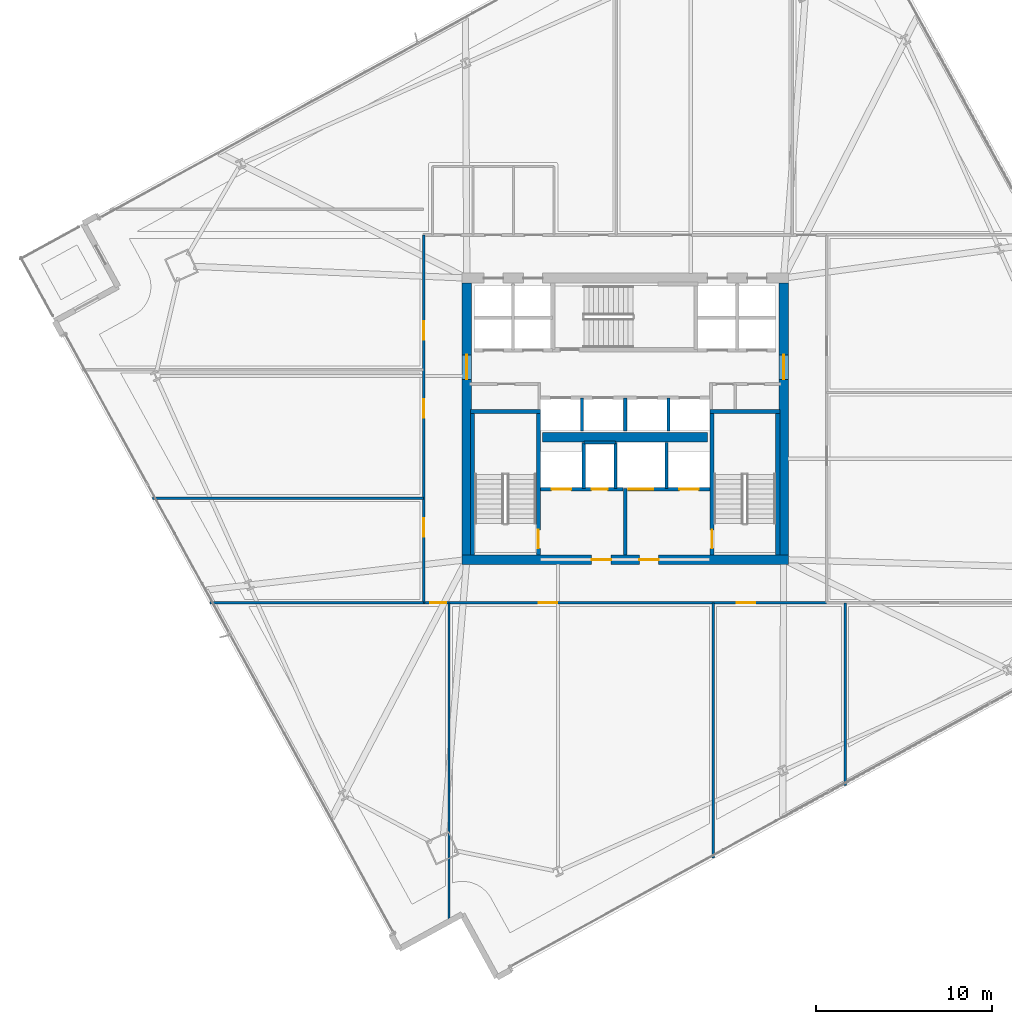
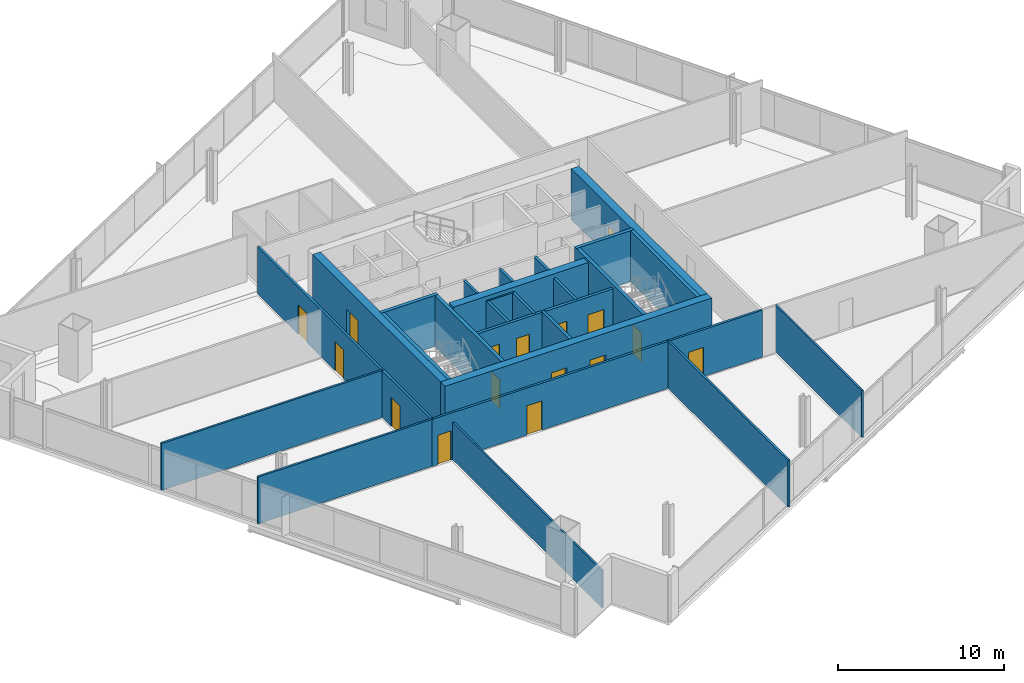
# One storey, part 24 of 33: 27 walls, 16 doors, 16 openings.
"""IFC4 building model written with IfcOpenShell, lengths in metres."""

from ifc_helpers import new_model, si_unit, direction, frame, frame_2d, origin, place, context, subcontext, project, spatial, rectangle, extrude, material, layer, layer_set, type_object, element, fill, save


model = new_model("IFC4")

# Units and contexts
model_context = context("Model", 3, precision=1e-05, world=origin(), true_north=direction((0.0, 1.0)))
body_context = subcontext(model_context, "Body", "Model", "MODEL_VIEW")
ifc_project = project(units=[si_unit("LENGTHUNIT", "METRE"), si_unit("AREAUNIT", "SQUARE_METRE"), si_unit("VOLUMEUNIT", "CUBIC_METRE"), si_unit("PLANEANGLEUNIT", "RADIAN"), si_unit("MASSUNIT", "GRAM", prefix="KILO")], contexts=[model_context])

# Site, building, storey
site_placement = place(None, origin())
site = spatial("IfcSite", under=ifc_project, at=site_placement, CompositionType="ELEMENT")
building_placement = place(site_placement, origin())
building = spatial("IfcBuilding", under=site, at=building_placement, Name="Haldenkirk Collegiate Tower", CompositionType="ELEMENT")
storey_placement = place(building_placement, frame((0.0, 0.0, 124.199951171875)))
storey = spatial("IfcBuildingStorey", under=building, at=storey_placement, Name="L30", CompositionType="ELEMENT", Elevation=124.199951171875)

# Wall, openings, doors
ifc_material_1 = material(Name="Concrete f'c 70 MPa", Category="concrete")
ifc_layer_1 = layer(ifc_material_1, 0.550048828125)
ifc_layer_set_1 = layer_set([ifc_layer_1], Name="Concrete f'c 70 MPa")
wall_type_1 = type_object("IfcWallType", Name="WL-CORE-550", PredefinedType="SHEAR", material=ifc_layer_set_1)
wall_1_placement = place(storey_placement, frame((26.72509765625, 18.0, 0.0), z_axis=(0.0, 0.0, 1.0), x_axis=(1.0, 0.0, 0.0)))
wall_1 = element("IfcWall", 1, at=wall_1_placement, inside=storey, type_object=wall_type_1, Name="L30 central core shear wall S", PredefinedType="SHEAR", context=body_context, shape_type="SweptSolid", body=[
    extrude(rectangle(XDim=18.5498046875, YDim=0.550048828125, at=frame_2d((9.27490234375, 0.0))), origin(), (0.0, 0.0, 1.0), 3.75),
])
opening_1_placement = place(wall_1_placement, frame((7.375, 0.0, 0.0)))
opening_1 = element("IfcOpeningElement", 2, at=opening_1_placement, cuts=wall_1, Name="Opening D-02", PredefinedType="OPENING", context=body_context, shape_type="SweptSolid", body=[
    extrude(rectangle(XDim=1.10009765625, YDim=2.14990234375, at=frame_2d((0.550048828125, 1.074951171875))), frame((0.0, 0.284912109375, 0.0), z_axis=(0.0, -1.0, 0.0), x_axis=(1.0, 0.0, 0.0)), (0.0, 0.0, 1.0), 0.570068359375),
])
opening_2_placement = place(wall_1_placement, frame((10.074951171875, 0.0, 0.0)))
opening_2 = element("IfcOpeningElement", 3, at=opening_2_placement, cuts=wall_1, Name="Opening D-02", PredefinedType="OPENING", context=body_context, shape_type="SweptSolid", body=[
    extrude(rectangle(XDim=1.10009765625, YDim=2.14990234375, at=frame_2d((0.550048828125, 1.074951171875))), frame((0.0, 0.284912109375, 0.0), z_axis=(0.0, -1.0, 0.0), x_axis=(1.0, 0.0, 0.0)), (0.0, 0.0, 1.0), 0.570068359375),
])
ifc_material_2 = material(Name="Galvanized fire-rated hollow steel door", Category="steel")
ifc_layer_2 = layer(ifc_material_2, 0.06005859375)
ifc_layer_set_2 = layer_set([ifc_layer_2], Name="Galvanized fire-rated hollow steel door")
door_type_1 = type_object("IfcDoorType", Name="DR-STAIR-FD90-1100", OperationType="NOTDEFINED", PredefinedType="DOOR", material=ifc_layer_set_2)
door_1_placement = place(opening_1_placement, origin())
door_1 = element("IfcDoor", 4, at=door_1_placement, inside=storey, type_object=door_type_1, Name="L30 Firefighting Lobby 1 door", OperationType="SINGLE_SWING_RIGHT", OverallHeight=2.14990234375, OverallWidth=1.10009765625, PredefinedType="DOOR", context=body_context, shape_type="SweptSolid", body=[
    extrude(rectangle(XDim=1.10009765625, YDim=2.14990234375, at=frame_2d((0.550048828125, 1.074951171875))), frame((0.0, 0.02490234375, 0.0), z_axis=(0.0, -1.0, 0.0), x_axis=(1.0, 0.0, 0.0)), (0.0, 0.0, 1.0), 0.050048828125),
])
fill(opening_1, door_1)
door_2_placement = place(opening_2_placement, origin())
door_2 = element("IfcDoor", 5, at=door_2_placement, inside=storey, type_object=door_type_1, Name="L30 Firefighting Lobby 2 door", OperationType="SINGLE_SWING_LEFT", OverallHeight=2.14990234375, OverallWidth=1.10009765625, PredefinedType="DOOR", context=body_context, shape_type="SweptSolid", body=[
    extrude(rectangle(XDim=1.10009765625, YDim=2.14990234375, at=frame_2d((0.550048828125, 1.074951171875))), frame((0.0, 0.02490234375, 0.0), z_axis=(0.0, -1.0, 0.0), x_axis=(1.0, 0.0, 0.0)), (0.0, 0.0, 1.0), 0.050048828125),
])
fill(opening_2, door_2)

# Wall, opening, door
wall_2_placement = place(storey_placement, frame((27.0, 18.27490234375, 0.0), z_axis=(0.0, 0.0, 1.0), x_axis=(0.0, 1.0, 0.0)))
wall_2 = element("IfcWall", 6, at=wall_2_placement, inside=storey, type_object=wall_type_1, Name="L30 central core shear wall W", PredefinedType="SHEAR", context=body_context, shape_type="SweptSolid", body=[
    extrude(rectangle(XDim=15.4501953125, YDim=0.550048828125, at=frame_2d((7.72509765625, 0.0))), origin(), (0.0, 0.0, 1.0), 3.75),
])
opening_3_placement = place(wall_2_placement, frame((9.965087890625, 0.0, 0.0)))
opening_3 = element("IfcOpeningElement", 7, at=opening_3_placement, cuts=wall_2, Name="Opening D-03", PredefinedType="OPENING", context=body_context, shape_type="SweptSolid", body=[
    extrude(rectangle(XDim=1.39990234375, YDim=2.199951171875, at=frame_2d((0.699951171875, 1.10009765625))), frame((0.0, 0.284912109375, 0.0), z_axis=(0.0, -1.0, 0.0), x_axis=(1.0, 0.0, 0.0)), (0.0, 0.0, 1.0), 0.570068359375),
])
ifc_layer_3 = layer(ifc_material_2, 0.06005859375)
ifc_layer_set_3 = layer_set([ifc_layer_3], Name="Galvanized fire-rated hollow steel door")
door_type_2 = type_object("IfcDoorType", Name="DR-LOBBY-FD90-1400", OperationType="NOTDEFINED", PredefinedType="DOOR", material=ifc_layer_set_3)
door_3_placement = place(opening_3_placement, origin())
door_3 = element("IfcDoor", 8, at=door_3_placement, inside=storey, type_object=door_type_2, Name="L30 west lift lobby portal", OperationType="DOUBLE_DOOR_SINGLE_SWING", OverallHeight=2.199951171875, OverallWidth=1.39990234375, PredefinedType="DOOR", context=body_context, shape_type="SweptSolid", body=[
    extrude(rectangle(XDim=1.39990234375, YDim=2.199951171875, at=frame_2d((0.699951171875, 1.10009765625))), frame((0.0, 0.02490234375, 0.0), z_axis=(0.0, -1.0, 0.0), x_axis=(1.0, 0.0, 0.0)), (0.0, 0.0, 1.0), 0.050048828125),
])
fill(opening_3, door_3)

wall_3_placement = place(storey_placement, frame((45.0, 18.27490234375, 0.0), z_axis=(0.0, 0.0, 1.0), x_axis=(0.0, 1.0, 0.0)))
wall_3 = element("IfcWall", 9, at=wall_3_placement, inside=storey, type_object=wall_type_1, Name="L30 central core shear wall E", PredefinedType="SHEAR", context=body_context, shape_type="SweptSolid", body=[
    extrude(rectangle(XDim=15.4501953125, YDim=0.550048828125, at=frame_2d((7.72509765625, 0.0))), origin(), (0.0, 0.0, 1.0), 3.75),
])
opening_4_placement = place(wall_3_placement, frame((9.965087890625, 0.0, 0.0)))
opening_4 = element("IfcOpeningElement", 10, at=opening_4_placement, cuts=wall_3, Name="Opening D-03", PredefinedType="OPENING", context=body_context, shape_type="SweptSolid", body=[
    extrude(rectangle(XDim=1.39990234375, YDim=2.199951171875, at=frame_2d((0.699951171875, 1.10009765625))), frame((0.0, 0.284912109375, 0.0), z_axis=(0.0, -1.0, 0.0), x_axis=(1.0, 0.0, 0.0)), (0.0, 0.0, 1.0), 0.570068359375),
])
door_4_placement = place(opening_4_placement, origin())
door_4 = element("IfcDoor", 11, at=door_4_placement, inside=storey, type_object=door_type_2, Name="L30 east lift lobby portal", OperationType="DOUBLE_DOOR_SINGLE_SWING", OverallHeight=2.199951171875, OverallWidth=1.39990234375, PredefinedType="DOOR", context=body_context, shape_type="SweptSolid", body=[
    extrude(rectangle(XDim=1.39990234375, YDim=2.199951171875, at=frame_2d((0.699951171875, 1.10009765625))), frame((0.0, 0.02490234375, 0.0), z_axis=(0.0, -1.0, 0.0), x_axis=(1.0, 0.0, 0.0)), (0.0, 0.0, 1.0), 0.050048828125),
])
fill(opening_4, door_4)

# Wall
wall_4_placement = place(storey_placement, frame((31.31005859375, 24.949951171875, 0.0), z_axis=(0.0, 0.0, 1.0), x_axis=(1.0, 0.0, 0.0)))
element("IfcWall", 12, at=wall_4_placement, inside=storey, type_object=wall_type_1, Name="L30 central core spine shear wall", PredefinedType="SHEAR", context=body_context, shape_type="SweptSolid", body=[
    extrude(rectangle(XDim=9.3798828125, YDim=0.550048828125, at=frame_2d((4.68994140625, 0.0))), origin(), (0.0, 0.0, 1.0), 3.75),
])

# Wall, openings, doors
ifc_material_3 = material(Name="Acoustic fire-rated gypsum partition", Category="concrete")
ifc_layer_4 = layer(ifc_material_3, 0.159912109375)
ifc_layer_set_4 = layer_set([ifc_layer_4], Name="Acoustic fire-rated gypsum partition")
wall_type_2 = type_object("IfcWallType", Name="WL-INT-CORR-160", PredefinedType="PARTITIONING", material=ifc_layer_set_4)
wall_5_placement = place(storey_placement, frame((24.5, 15.550048828125, 0.0), z_axis=(0.0, 0.0, 1.0), x_axis=(1.0, 0.0, 0.0)))
wall_5 = element("IfcWall", 13, at=wall_5_placement, inside=storey, type_object=wall_type_2, Name="L30 interior partition IW-L30-CS", PredefinedType="PARTITIONING", context=body_context, shape_type="SweptSolid", body=[
    extrude(rectangle(XDim=23.0, YDim=0.159912109375, at=frame_2d((11.5, 0.0))), origin(), (0.0, 0.0, 1.0), 3.449951171875),
])
opening_5_placement = place(wall_5_placement, frame((0.425048828125, 0.0, 0.0)))
opening_5 = element("IfcOpeningElement", 14, at=opening_5_placement, cuts=wall_5, Name="Opening D-11", PredefinedType="OPENING", context=body_context, shape_type="SweptSolid", body=[
    extrude(rectangle(XDim=0.89990234375, YDim=2.14990234375, at=frame_2d((0.449951171875, 1.074951171875))), frame((0.0, 0.08984375, 0.0), z_axis=(0.0, -1.0, 0.0), x_axis=(1.0, 0.0, 0.0)), (0.0, 0.0, 1.0), 0.179931640625),
])
opening_6_placement = place(wall_5_placement, frame((6.594970703125, 0.0, 0.0)))
opening_6 = element("IfcOpeningElement", 15, at=opening_6_placement, cuts=wall_5, Name="Opening D-09", PredefinedType="OPENING", context=body_context, shape_type="SweptSolid", body=[
    extrude(rectangle(XDim=1.050048828125, YDim=2.14990234375, at=frame_2d((0.52490234375, 1.074951171875))), frame((0.0, 0.08984375, 0.0), z_axis=(0.0, -1.0, 0.0), x_axis=(1.0, 0.0, 0.0)), (0.0, 0.0, 1.0), 0.179931640625),
])
opening_7_placement = place(wall_5_placement, frame((17.8291015625, 0.0, 0.0)))
opening_7 = element("IfcOpeningElement", 16, at=opening_7_placement, cuts=wall_5, Name="Opening D-09", PredefinedType="OPENING", context=body_context, shape_type="SweptSolid", body=[
    extrude(rectangle(XDim=1.050048828125, YDim=2.14990234375, at=frame_2d((0.52490234375, 1.074951171875))), frame((0.0, 0.08984375, 0.0), z_axis=(0.0, -1.0, 0.0), x_axis=(1.0, 0.0, 0.0)), (0.0, 0.0, 1.0), 0.179931640625),
])
ifc_material_4 = material(Name="Solid-core architectural oak fire door", Category="wood")
ifc_layer_5 = layer(ifc_material_4, 0.06005859375)
ifc_layer_set_5 = layer_set([ifc_layer_5], Name="Solid-core architectural oak fire door")
door_type_3 = type_object("IfcDoorType", Name="DR-INT-FD60-1050", OperationType="NOTDEFINED", PredefinedType="DOOR", material=ifc_layer_set_5)
door_5_placement = place(opening_6_placement, origin())
door_5 = element("IfcDoor", 17, at=door_5_placement, inside=storey, type_object=door_type_3, Name="L30 Campus Design Shop 2 door", OperationType="SINGLE_SWING_LEFT", OverallHeight=2.14990234375, OverallWidth=1.050048828125, PredefinedType="DOOR", context=body_context, shape_type="SweptSolid", body=[
    extrude(rectangle(XDim=1.050048828125, YDim=2.14990234375, at=frame_2d((0.52490234375, 1.074951171875))), frame((0.0, 0.02490234375, 0.0), z_axis=(0.0, -1.0, 0.0), x_axis=(1.0, 0.0, 0.0)), (0.0, 0.0, 1.0), 0.050048828125),
])
fill(opening_6, door_5)
door_6_placement = place(opening_7_placement, origin())
door_6 = element("IfcDoor", 18, at=door_6_placement, inside=storey, type_object=door_type_3, Name="L30 Collegiate Supply Shop 3 door", OperationType="SINGLE_SWING_RIGHT", OverallHeight=2.14990234375, OverallWidth=1.050048828125, PredefinedType="DOOR", context=body_context, shape_type="SweptSolid", body=[
    extrude(rectangle(XDim=1.050048828125, YDim=2.14990234375, at=frame_2d((0.52490234375, 1.074951171875))), frame((0.0, 0.02490234375, 0.0), z_axis=(0.0, -1.0, 0.0), x_axis=(1.0, 0.0, 0.0)), (0.0, 0.0, 1.0), 0.050048828125),
])
fill(opening_7, door_6)
ifc_layer_6 = layer(ifc_material_4, 0.06005859375)
ifc_layer_set_6 = layer_set([ifc_layer_6], Name="Solid-core architectural oak fire door")
door_type_4 = type_object("IfcDoorType", Name="DR-INT-FD60-900", OperationType="NOTDEFINED", PredefinedType="DOOR", material=ifc_layer_set_6)
door_7_placement = place(opening_5_placement, origin())
door_7 = element("IfcDoor", 19, at=door_7_placement, inside=storey, type_object=door_type_4, Name="L30 Academic Press Bookshop 1 door", OperationType="SINGLE_SWING_RIGHT", OverallHeight=2.14990234375, OverallWidth=0.89990234375, PredefinedType="DOOR", context=body_context, shape_type="SweptSolid", body=[
    extrude(rectangle(XDim=0.89990234375, YDim=2.14990234375, at=frame_2d((0.449951171875, 1.074951171875))), frame((0.0, 0.02490234375, 0.0), z_axis=(0.0, -1.0, 0.0), x_axis=(1.0, 0.0, 0.0)), (0.0, 0.0, 1.0), 0.050048828125),
])
fill(opening_5, door_7)

wall_6_placement = place(storey_placement, frame((24.550048828125, 15.550048828125, 0.0), z_axis=(0.0, 0.0, 1.0), x_axis=(0.0, 1.0, 0.0)))
wall_6 = element("IfcWall", 20, at=wall_6_placement, inside=storey, type_object=wall_type_2, Name="L30 interior partition IW-L30-CW", PredefinedType="PARTITIONING", context=body_context, shape_type="SweptSolid", body=[
    extrude(rectangle(XDim=20.89990234375, YDim=0.159912109375, at=frame_2d((10.449951171875, 0.0))), origin(), (0.0, 0.0, 1.0), 3.449951171875),
])
opening_8_placement = place(wall_6_placement, frame((3.7470703125, 0.0, 0.0)))
opening_8 = element("IfcOpeningElement", 21, at=opening_8_placement, cuts=wall_6, Name="Opening D-09", PredefinedType="OPENING", context=body_context, shape_type="SweptSolid", body=[
    extrude(rectangle(XDim=1.050048828125, YDim=2.14990234375, at=frame_2d((0.52490234375, 1.074951171875))), frame((0.0, 0.08984375, 0.0), z_axis=(0.0, -1.0, 0.0), x_axis=(1.0, 0.0, 0.0)), (0.0, 0.0, 1.0), 0.179931640625),
])
opening_9_placement = place(wall_6_placement, frame((10.509033203125, 0.0, 0.0)))
opening_9 = element("IfcOpeningElement", 22, at=opening_9_placement, cuts=wall_6, Name="Opening D-09", PredefinedType="OPENING", context=body_context, shape_type="SweptSolid", body=[
    extrude(rectangle(XDim=1.050048828125, YDim=2.14990234375, at=frame_2d((0.52490234375, 1.074951171875))), frame((0.0, 0.08984375, 0.0), z_axis=(0.0, -1.0, 0.0), x_axis=(1.0, 0.0, 0.0)), (0.0, 0.0, 1.0), 0.179931640625),
])
opening_10_placement = place(wall_6_placement, frame((14.947021484375, 0.0, 0.0)))
opening_10 = element("IfcOpeningElement", 23, at=opening_10_placement, cuts=wall_6, Name="Opening D-09", PredefinedType="OPENING", context=body_context, shape_type="SweptSolid", body=[
    extrude(rectangle(XDim=1.050048828125, YDim=2.14990234375, at=frame_2d((0.52490234375, 1.074951171875))), frame((0.0, 0.08984375, 0.0), z_axis=(0.0, -1.0, 0.0), x_axis=(1.0, 0.0, 0.0)), (0.0, 0.0, 1.0), 0.179931640625),
])
door_8_placement = place(opening_8_placement, origin())
door_8 = element("IfcDoor", 24, at=door_8_placement, inside=storey, type_object=door_type_3, Name="L30 Campus Design Shop 8 door", OperationType="SINGLE_SWING_LEFT", OverallHeight=2.14990234375, OverallWidth=1.050048828125, PredefinedType="DOOR", context=body_context, shape_type="SweptSolid", body=[
    extrude(rectangle(XDim=1.050048828125, YDim=2.14990234375, at=frame_2d((0.52490234375, 1.074951171875))), frame((0.0, 0.02490234375, 0.0), z_axis=(0.0, -1.0, 0.0), x_axis=(1.0, 0.0, 0.0)), (0.0, 0.0, 1.0), 0.050048828125),
])
fill(opening_8, door_8)
door_9_placement = place(opening_9_placement, origin())
door_9 = element("IfcDoor", 25, at=door_9_placement, inside=storey, type_object=door_type_3, Name="L30 Collegiate Supply Shop 9 door", OperationType="SINGLE_SWING_RIGHT", OverallHeight=2.14990234375, OverallWidth=1.050048828125, PredefinedType="DOOR", context=body_context, shape_type="SweptSolid", body=[
    extrude(rectangle(XDim=1.050048828125, YDim=2.14990234375, at=frame_2d((0.52490234375, 1.074951171875))), frame((0.0, 0.02490234375, 0.0), z_axis=(0.0, -1.0, 0.0), x_axis=(1.0, 0.0, 0.0)), (0.0, 0.0, 1.0), 0.050048828125),
])
fill(opening_9, door_9)
door_10_placement = place(opening_10_placement, origin())
door_10 = element("IfcDoor", 26, at=door_10_placement, inside=storey, type_object=door_type_3, Name="L30 Architectural Crit Studio 10 door", OperationType="SINGLE_SWING_LEFT", OverallHeight=2.14990234375, OverallWidth=1.050048828125, PredefinedType="DOOR", context=body_context, shape_type="SweptSolid", body=[
    extrude(rectangle(XDim=1.050048828125, YDim=2.14990234375, at=frame_2d((0.52490234375, 1.074951171875))), frame((0.0, 0.02490234375, 0.0), z_axis=(0.0, -1.0, 0.0), x_axis=(1.0, 0.0, 0.0)), (0.0, 0.0, 1.0), 0.050048828125),
])
fill(opening_10, door_10)

# Walls
ifc_layer_7 = layer(ifc_material_3, 0.139892578125)
ifc_layer_set_7 = layer_set([ifc_layer_7], Name="Acoustic fire-rated gypsum partition")
wall_type_3 = type_object("IfcWallType", Name="WL-INT-DIV-140", PredefinedType="PARTITIONING", material=ifc_layer_set_7)
wall_7_placement = place(storey_placement, frame((12.408203125, 15.550048828125, 0.0), z_axis=(0.0, 0.0, 1.0), x_axis=(1.0, 0.0, 0.0)))
element("IfcWall", 27, at=wall_7_placement, inside=storey, type_object=wall_type_3, Name="L30 interior partition IW-L30-BWS", PredefinedType="PARTITIONING", context=body_context, shape_type="SweptSolid", body=[
    extrude(rectangle(XDim=12.141845703125, YDim=0.139892578125, at=frame_2d((6.07080078125, 0.0))), origin(), (0.0, 0.0, 1.0), 3.449951171875),
])
wall_8_placement = place(storey_placement, frame((41.0, 1.04345703125, 0.0), z_axis=(0.0, 0.0, 1.0), x_axis=(0.0, 1.0, 0.0)))
element("IfcWall", 28, at=wall_8_placement, inside=storey, type_object=wall_type_3, Name="L30 interior partition IW-L30-RS2", PredefinedType="PARTITIONING", context=body_context, shape_type="SweptSolid", body=[
    extrude(rectangle(XDim=14.506591796875, YDim=0.139892578125, at=frame_2d((7.25341796875, 0.0))), origin(), (0.0, 0.0, 1.0), 3.449951171875),
])
wall_9_placement = place(storey_placement, frame((9.143798828125, 21.5, 0.0), z_axis=(0.0, 0.0, 1.0), x_axis=(1.0, 0.0, 0.0)))
element("IfcWall", 29, at=wall_9_placement, inside=storey, type_object=wall_type_3, Name="L30 interior partition IW-L30-RW1", PredefinedType="PARTITIONING", context=body_context, shape_type="SweptSolid", body=[
    extrude(rectangle(XDim=15.40625, YDim=0.139892578125, at=frame_2d((7.703125, 0.0))), origin(), (0.0, 0.0, 1.0), 3.449951171875),
])
ifc_material_5 = material(Name="Fire-rated gypsum shaftboard assembly", Category="concrete")
ifc_layer_8 = layer(ifc_material_5, 0.179931640625)
ifc_layer_set_8 = layer_set([ifc_layer_8], Name="Fire-rated gypsum shaftboard assembly")
wall_type_4 = type_object("IfcWallType", Name="WL-INT-SHAFT-180", PredefinedType="PARTITIONING", material=ifc_layer_set_8)
for number, where, z_axis, x_axis, name in (
    (30, (33.64990234375, 22.050048828125, 0.0), (0.0, 0.0, 1.0), (0.0, 1.0, 0.0), "L30 interior partition IW-L30-FL1E"),
    (31, (35.449951171875, 22.050048828125, 0.0), (0.0, 0.0, 1.0), (0.0, 1.0, 0.0), "L30 interior partition IW-L30-GL1W"),
):
    element("IfcWall", number, at=place(storey_placement, frame(where, z_axis=z_axis, x_axis=x_axis)), inside=storey, type_object=wall_type_4, Name=name, PredefinedType="PARTITIONING", context=body_context, shape_type="SweptSolid", body=[
        extrude(rectangle(XDim=2.599853515625, YDim=0.179931640625, at=frame_2d((1.2998046875, 0.0))), origin(), (0.0, 0.0, 1.0), 3.449951171875),
    ])
wall_10_placement = place(storey_placement, frame((33.64990234375, 24.64990234375, 0.0), z_axis=(0.0, 0.0, 1.0), x_axis=(1.0, 0.0, 0.0)))
element("IfcWall", 32, at=wall_10_placement, inside=storey, type_object=wall_type_4, Name="L30 interior partition IW-L30-RSRN", PredefinedType="PARTITIONING", context=body_context, shape_type="SweptSolid", body=[
    extrude(rectangle(XDim=1.800048828125, YDim=0.179931640625, at=frame_2d((0.89990234375, 0.0))), origin(), (0.0, 0.0, 1.0), 3.449951171875),
])
wall_11_placement = place(storey_placement, frame((38.35009765625, 22.050048828125, 0.0), z_axis=(0.0, 0.0, 1.0), x_axis=(0.0, 1.0, 0.0)))
element("IfcWall", 33, at=wall_11_placement, inside=storey, type_object=wall_type_4, Name="L30 interior partition IW-L30-GL1E", PredefinedType="PARTITIONING", context=body_context, shape_type="SweptSolid", body=[
    extrude(rectangle(XDim=2.599853515625, YDim=0.179931640625, at=frame_2d((1.2998046875, 0.0))), origin(), (0.0, 0.0, 1.0), 3.449951171875),
])
for number, where, z_axis, x_axis, name in (
    (34, (33.5400390625, 25.300048828125, 0.0), (0.0, 0.0, 1.0), (0.0, 1.0, 0.0), "L30 interior partition IW-L30-PHV1"),
    (35, (36.0, 25.300048828125, 0.0), (0.0, 0.0, 1.0), (0.0, 1.0, 0.0), "L30 interior partition IW-L30-PHV2"),
    (36, (38.4599609375, 25.300048828125, 0.0), (0.0, 0.0, 1.0), (0.0, 1.0, 0.0), "L30 interior partition IW-L30-PHV3"),
):
    element("IfcWall", number, at=place(storey_placement, frame(where, z_axis=z_axis, x_axis=x_axis)), inside=storey, type_object=wall_type_4, Name=name, PredefinedType="PARTITIONING", context=body_context, shape_type="SweptSolid", body=[
        extrude(rectangle(XDim=1.89990234375, YDim=0.179931640625, at=frame_2d((0.949951171875, 0.0))), origin(), (0.0, 0.0, 1.0), 3.449951171875),
    ])
ifc_layer_9 = layer(ifc_material_5, 0.199951171875)
ifc_layer_set_9 = layer_set([ifc_layer_9], Name="Fire-rated gypsum shaftboard assembly")
wall_type_5 = type_object("IfcWallType", Name="WL-INT-SHAFT-200", PredefinedType="PARTITIONING", material=ifc_layer_set_9)
wall_12_placement = place(storey_placement, frame((36.0, 18.280029296875, 0.0), z_axis=(0.0, 0.0, 1.0), x_axis=(0.0, 1.0, 0.0)))
element("IfcWall", 37, at=wall_12_placement, inside=storey, type_object=wall_type_5, Name="L30 interior partition IW-L30-FFLM", PredefinedType="PARTITIONING", context=body_context, shape_type="SweptSolid", body=[
    extrude(rectangle(XDim=3.77001953125, YDim=0.199951171875, at=frame_2d((1.885009765625, 0.0))), origin(), (0.0, 0.0, 1.0), 3.449951171875),
])

# Wall, openings, doors
wall_13_placement = place(storey_placement, frame((31.18994140625, 22.0, 0.0), z_axis=(0.0, 0.0, 1.0), x_axis=(1.0, 0.0, 0.0)))
wall_13 = element("IfcWall", 38, at=wall_13_placement, inside=storey, type_object=wall_type_5, Name="L30 interior partition IW-L30-FFL1N", PredefinedType="PARTITIONING", context=body_context, shape_type="SweptSolid", body=[
    extrude(rectangle(XDim=4.68994140625, YDim=0.199951171875, at=frame_2d((2.344970703125, 0.0))), origin(), (0.0, 0.0, 1.0), 3.449951171875),
])
opening_11_placement = place(wall_13_placement, frame((2.909912109375, 0.0, 0.0)))
opening_11 = element("IfcOpeningElement", 39, at=opening_11_placement, cuts=wall_13, Name="Opening D-06", PredefinedType="OPENING", context=body_context, shape_type="SweptSolid", body=[
    extrude(rectangle(XDim=0.89990234375, YDim=2.14990234375, at=frame_2d((0.449951171875, 1.074951171875))), frame((0.0, 0.10986328125, 0.0), z_axis=(0.0, -1.0, 0.0), x_axis=(1.0, 0.0, 0.0)), (0.0, 0.0, 1.0), 0.219970703125),
])
opening_12_placement = place(wall_13_placement, frame((0.635009765625, 0.0, 0.0)))
opening_12 = element("IfcOpeningElement", 40, at=opening_12_placement, cuts=wall_13, Name="Opening LD-12", PredefinedType="OPENING", context=body_context, shape_type="SweptSolid", body=[
    extrude(rectangle(XDim=1.10009765625, YDim=2.14990234375, at=frame_2d((0.550048828125, 1.074951171875))), frame((0.0, 0.10986328125, 0.0), z_axis=(0.0, -1.0, 0.0), x_axis=(1.0, 0.0, 0.0)), (0.0, 0.0, 1.0), 0.219970703125),
])
ifc_layer_10 = layer(ifc_material_2, 0.06005859375)
ifc_layer_set_10 = layer_set([ifc_layer_10], Name="Galvanized fire-rated hollow steel door")
door_type_5 = type_object("IfcDoorType", Name="DR-INT-FD90-900", OperationType="NOTDEFINED", PredefinedType="DOOR", material=ifc_layer_set_10)
door_11_placement = place(opening_11_placement, origin())
door_11 = element("IfcDoor", 41, at=door_11_placement, inside=storey, type_object=door_type_5, Name="L30 electrical riser door", OperationType="SINGLE_SWING_RIGHT", OverallHeight=2.14990234375, OverallWidth=0.89990234375, PredefinedType="DOOR", context=body_context, shape_type="SweptSolid", body=[
    extrude(rectangle(XDim=0.89990234375, YDim=2.14990234375, at=frame_2d((0.449951171875, 1.074951171875))), frame((0.0, 0.02490234375, 0.0), z_axis=(0.0, -1.0, 0.0), x_axis=(1.0, 0.0, 0.0)), (0.0, 0.0, 1.0), 0.050048828125),
])
fill(opening_11, door_11)
ifc_material_6 = material(Name="Brushed architectural stainless steel", Category="steel")
ifc_layer_11 = layer(ifc_material_6, 0.06005859375)
ifc_layer_set_11 = layer_set([ifc_layer_11], Name="Brushed architectural stainless steel")
door_type_6 = type_object("IfcDoorType", Name="LD-FIRE-1100", OperationType="NOTDEFINED", PredefinedType="DOOR", material=ifc_layer_set_11)
door_12_placement = place(opening_12_placement, origin())
door_12 = element("IfcDoor", 42, at=door_12_placement, inside=storey, type_object=door_type_6, Name="L30 Elevator FL1 sliding landing door", OperationType="SLIDING_TO_LEFT", OverallHeight=2.14990234375, OverallWidth=1.10009765625, PredefinedType="DOOR", context=body_context, shape_type="SweptSolid", body=[
    extrude(rectangle(XDim=1.10009765625, YDim=2.14990234375, at=frame_2d((0.550048828125, 1.074951171875))), frame((0.0, 0.02490234375, 0.0), z_axis=(0.0, -1.0, 0.0), x_axis=(1.0, 0.0, 0.0)), (0.0, 0.0, 1.0), 0.050048828125),
])
fill(opening_12, door_12)

wall_14_placement = place(storey_placement, frame((36.1201171875, 22.0, 0.0), z_axis=(0.0, 0.0, 1.0), x_axis=(1.0, 0.0, 0.0)))
wall_14 = element("IfcWall", 43, at=wall_14_placement, inside=storey, type_object=wall_type_5, Name="L30 interior partition IW-L30-FFL2N", PredefinedType="PARTITIONING", context=body_context, shape_type="SweptSolid", body=[
    extrude(rectangle(XDim=4.68994140625, YDim=0.199951171875, at=frame_2d((2.344970703125, 0.0))), origin(), (0.0, 0.0, 1.0), 3.449951171875),
])
opening_13_placement = place(wall_14_placement, frame((2.955078125, 0.0, 0.0)))
opening_13 = element("IfcOpeningElement", 44, at=opening_13_placement, cuts=wall_14, Name="Opening LD-12", PredefinedType="OPENING", context=body_context, shape_type="SweptSolid", body=[
    extrude(rectangle(XDim=1.10009765625, YDim=2.14990234375, at=frame_2d((0.550048828125, 1.074951171875))), frame((0.0, 0.10986328125, 0.0), z_axis=(0.0, -1.0, 0.0), x_axis=(1.0, 0.0, 0.0)), (0.0, 0.0, 1.0), 0.219970703125),
])
opening_14_placement = place(wall_14_placement, frame((0.080078125, 0.0, 0.0)))
opening_14 = element("IfcOpeningElement", 45, at=opening_14_placement, cuts=wall_14, Name="Opening LD-13", PredefinedType="OPENING", context=body_context, shape_type="SweptSolid", body=[
    extrude(rectangle(XDim=1.39990234375, YDim=2.199951171875, at=frame_2d((0.699951171875, 1.10009765625))), frame((0.0, 0.10986328125, 0.0), z_axis=(0.0, -1.0, 0.0), x_axis=(1.0, 0.0, 0.0)), (0.0, 0.0, 1.0), 0.219970703125),
])
door_13_placement = place(opening_13_placement, origin())
door_13 = element("IfcDoor", 46, at=door_13_placement, inside=storey, type_object=door_type_6, Name="L30 Elevator FL2 sliding landing door", OperationType="SLIDING_TO_LEFT", OverallHeight=2.14990234375, OverallWidth=1.10009765625, PredefinedType="DOOR", context=body_context, shape_type="SweptSolid", body=[
    extrude(rectangle(XDim=1.10009765625, YDim=2.14990234375, at=frame_2d((0.550048828125, 1.074951171875))), frame((0.0, 0.02490234375, 0.0), z_axis=(0.0, -1.0, 0.0), x_axis=(1.0, 0.0, 0.0)), (0.0, 0.0, 1.0), 0.050048828125),
])
fill(opening_13, door_13)
ifc_layer_12 = layer(ifc_material_6, 0.06005859375)
ifc_layer_set_12 = layer_set([ifc_layer_12], Name="Brushed architectural stainless steel")
door_type_7 = type_object("IfcDoorType", Name="LD-GOODS-1400", OperationType="NOTDEFINED", PredefinedType="DOOR", material=ifc_layer_set_12)
door_14_placement = place(opening_14_placement, origin())
door_14 = element("IfcDoor", 47, at=door_14_placement, inside=storey, type_object=door_type_7, Name="L30 Elevator GL1 sliding landing door", OperationType="SLIDING_TO_LEFT", OverallHeight=2.199951171875, OverallWidth=1.39990234375, PredefinedType="DOOR", context=body_context, shape_type="SweptSolid", body=[
    extrude(rectangle(XDim=1.39990234375, YDim=2.199951171875, at=frame_2d((0.699951171875, 1.10009765625))), frame((0.0, 0.02490234375, 0.0), z_axis=(0.0, -1.0, 0.0), x_axis=(1.0, 0.0, 0.0)), (0.0, 0.0, 1.0), 0.050048828125),
])
fill(opening_14, door_14)

# Walls
ifc_layer_13 = layer(ifc_material_3, 0.1201171875)
ifc_layer_set_13 = layer_set([ifc_layer_13], Name="Acoustic fire-rated gypsum partition")
wall_type_6 = type_object("IfcWallType", Name="WL-INT-WET-120", PredefinedType="PARTITIONING", material=ifc_layer_set_13)
wall_15_placement = place(storey_placement, frame((26.0, -2.50927734375, 0.0), z_axis=(0.0, 0.0, 1.0), x_axis=(0.0, 1.0, 0.0)))
element("IfcWall", 48, at=wall_15_placement, inside=storey, type_object=wall_type_6, Name="L30 interior partition IW-L30-RS1", PredefinedType="PARTITIONING", context=body_context, shape_type="SweptSolid", body=[
    extrude(rectangle(XDim=18.059326171875, YDim=0.1201171875, at=frame_2d((9.02978515625, 0.0))), origin(), (0.0, 0.0, 1.0), 2.7490234375),
])
wall_16_placement = place(storey_placement, frame((48.5, 5.158203125, 0.0), z_axis=(0.0, 0.0, 1.0), x_axis=(0.0, 1.0, 0.0)))
element("IfcWall", 49, at=wall_16_placement, inside=storey, type_object=wall_type_6, Name="L30 interior partition IW-L30-RS3", PredefinedType="PARTITIONING", context=body_context, shape_type="SweptSolid", body=[
    extrude(rectangle(XDim=10.391845703125, YDim=0.1201171875, at=frame_2d((5.19580078125, 0.0))), origin(), (0.0, 0.0, 1.0), 3.449951171875),
])

# Wall, opening, door
ifc_material_7 = material(Name="Concrete f'c 55 MPa", Category="concrete")
ifc_layer_14 = layer(ifc_material_7, 0.239990234375)
ifc_layer_set_14 = layer_set([ifc_layer_14], Name="Concrete f'c 55 MPa")
wall_type_7 = type_object("IfcWallType", Name="WL-SHAFT-240", PredefinedType="SHEAR", material=ifc_layer_set_14)
wall_17_placement = place(storey_placement, frame((31.070068359375, 18.280029296875, 0.0), z_axis=(0.0, 0.0, 1.0), x_axis=(0.0, 1.0, 0.0)))
wall_17 = element("IfcWall", 50, at=wall_17_placement, inside=storey, type_object=wall_type_7, Name="L30 stair shaft shear wall SW-L30-ST1E", PredefinedType="SHEAR", context=body_context, shape_type="SweptSolid", body=[
    extrude(rectangle(XDim=8.260009765625, YDim=0.239990234375, at=frame_2d((4.1298828125, 0.0))), origin(), (0.0, 0.0, 1.0), 3.75),
])
opening_15_placement = place(wall_17_placement, frame((0.364990234375, 0.0, 0.0)))
opening_15 = element("IfcOpeningElement", 51, at=opening_15_placement, cuts=wall_17, Name="Opening D-01", PredefinedType="OPENING", context=body_context, shape_type="SweptSolid", body=[
    extrude(rectangle(XDim=1.050048828125, YDim=2.14990234375, at=frame_2d((0.52490234375, 1.074951171875))), frame((0.0, 0.1298828125, 0.0), z_axis=(0.0, -1.0, 0.0), x_axis=(1.0, 0.0, 0.0)), (0.0, 0.0, 1.0), 0.260009765625),
])
ifc_layer_15 = layer(ifc_material_2, 0.06005859375)
ifc_layer_set_15 = layer_set([ifc_layer_15], Name="Galvanized fire-rated hollow steel door")
door_type_8 = type_object("IfcDoorType", Name="DR-STAIR-FD90-1050", OperationType="NOTDEFINED", PredefinedType="DOOR", material=ifc_layer_set_15)
door_15_placement = place(opening_15_placement, origin())
door_15 = element("IfcDoor", 52, at=door_15_placement, inside=storey, type_object=door_type_8, Name="L30 Stair 1 door", OperationType="SINGLE_SWING_LEFT", OverallHeight=2.14990234375, OverallWidth=1.050048828125, PredefinedType="DOOR", context=body_context, shape_type="SweptSolid", body=[
    extrude(rectangle(XDim=1.050048828125, YDim=2.14990234375, at=frame_2d((0.52490234375, 1.074951171875))), frame((0.0, 0.02490234375, 0.0), z_axis=(0.0, -1.0, 0.0), x_axis=(1.0, 0.0, 0.0)), (0.0, 0.0, 1.0), 0.050048828125),
])
fill(opening_15, door_15)

# Walls
wall_18_placement = place(storey_placement, frame((27.2099609375, 26.419921875, 0.0), z_axis=(0.0, 0.0, 1.0), x_axis=(1.0, 0.0, 0.0)))
element("IfcWall", 53, at=wall_18_placement, inside=storey, type_object=wall_type_7, Name="L30 stair shaft shear wall SW-L30-ST1N", PredefinedType="SHEAR", context=body_context, shape_type="SweptSolid", body=[
    extrude(rectangle(XDim=3.97998046875, YDim=0.239990234375, at=frame_2d((1.989990234375, 0.0))), origin(), (0.0, 0.0, 1.0), 3.75),
])
wall_19_placement = place(storey_placement, frame((27.330078125, 18.280029296875, 0.0), z_axis=(0.0, 0.0, 1.0), x_axis=(0.0, 1.0, 0.0)))
element("IfcWall", 54, at=wall_19_placement, inside=storey, type_object=wall_type_7, Name="L30 stair shaft shear wall SW-L30-ST1W", PredefinedType="SHEAR", context=body_context, shape_type="SweptSolid", body=[
    extrude(rectangle(XDim=8.260009765625, YDim=0.239990234375, at=frame_2d((4.1298828125, 0.0))), origin(), (0.0, 0.0, 1.0), 3.75),
])

# Wall, opening, door
wall_20_placement = place(storey_placement, frame((40.929931640625, 18.280029296875, 0.0), z_axis=(0.0, 0.0, 1.0), x_axis=(0.0, 1.0, 0.0)))
wall_20 = element("IfcWall", 55, at=wall_20_placement, inside=storey, type_object=wall_type_7, Name="L30 stair shaft shear wall SW-L30-ST2W", PredefinedType="SHEAR", context=body_context, shape_type="SweptSolid", body=[
    extrude(rectangle(XDim=8.260009765625, YDim=0.239990234375, at=frame_2d((4.1298828125, 0.0))), origin(), (0.0, 0.0, 1.0), 3.75),
])
opening_16_placement = place(wall_20_placement, frame((0.364990234375, 0.0, 0.0)))
opening_16 = element("IfcOpeningElement", 56, at=opening_16_placement, cuts=wall_20, Name="Opening D-01", PredefinedType="OPENING", context=body_context, shape_type="SweptSolid", body=[
    extrude(rectangle(XDim=1.050048828125, YDim=2.14990234375, at=frame_2d((0.52490234375, 1.074951171875))), frame((0.0, 0.1298828125, 0.0), z_axis=(0.0, -1.0, 0.0), x_axis=(1.0, 0.0, 0.0)), (0.0, 0.0, 1.0), 0.260009765625),
])
door_16_placement = place(opening_16_placement, origin())
door_16 = element("IfcDoor", 57, at=door_16_placement, inside=storey, type_object=door_type_8, Name="L30 Stair 2 door", OperationType="SINGLE_SWING_RIGHT", OverallHeight=2.14990234375, OverallWidth=1.050048828125, PredefinedType="DOOR", context=body_context, shape_type="SweptSolid", body=[
    extrude(rectangle(XDim=1.050048828125, YDim=2.14990234375, at=frame_2d((0.52490234375, 1.074951171875))), frame((0.0, 0.02490234375, 0.0), z_axis=(0.0, -1.0, 0.0), x_axis=(1.0, 0.0, 0.0)), (0.0, 0.0, 1.0), 0.050048828125),
])
fill(opening_16, door_16)

# Walls
wall_21_placement = place(storey_placement, frame((40.81005859375, 26.419921875, 0.0), z_axis=(0.0, 0.0, 1.0), x_axis=(1.0, 0.0, 0.0)))
element("IfcWall", 58, at=wall_21_placement, inside=storey, type_object=wall_type_7, Name="L30 stair shaft shear wall SW-L30-ST2N", PredefinedType="SHEAR", context=body_context, shape_type="SweptSolid", body=[
    extrude(rectangle(XDim=3.97998046875, YDim=0.239990234375, at=frame_2d((1.989990234375, 0.0))), origin(), (0.0, 0.0, 1.0), 3.75),
])
wall_22_placement = place(storey_placement, frame((44.669921875, 18.280029296875, 0.0), z_axis=(0.0, 0.0, 1.0), x_axis=(0.0, 1.0, 0.0)))
element("IfcWall", 59, at=wall_22_placement, inside=storey, type_object=wall_type_7, Name="L30 stair shaft shear wall SW-L30-ST2E", PredefinedType="SHEAR", context=body_context, shape_type="SweptSolid", body=[
    extrude(rectangle(XDim=8.260009765625, YDim=0.239990234375, at=frame_2d((4.1298828125, 0.0))), origin(), (0.0, 0.0, 1.0), 3.75),
])

save(model, "model.ifc")
